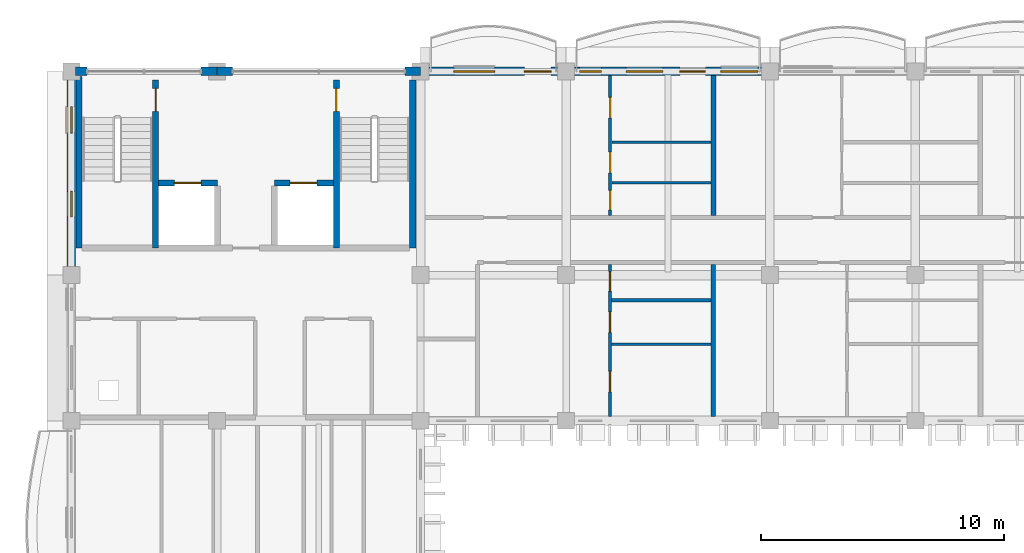
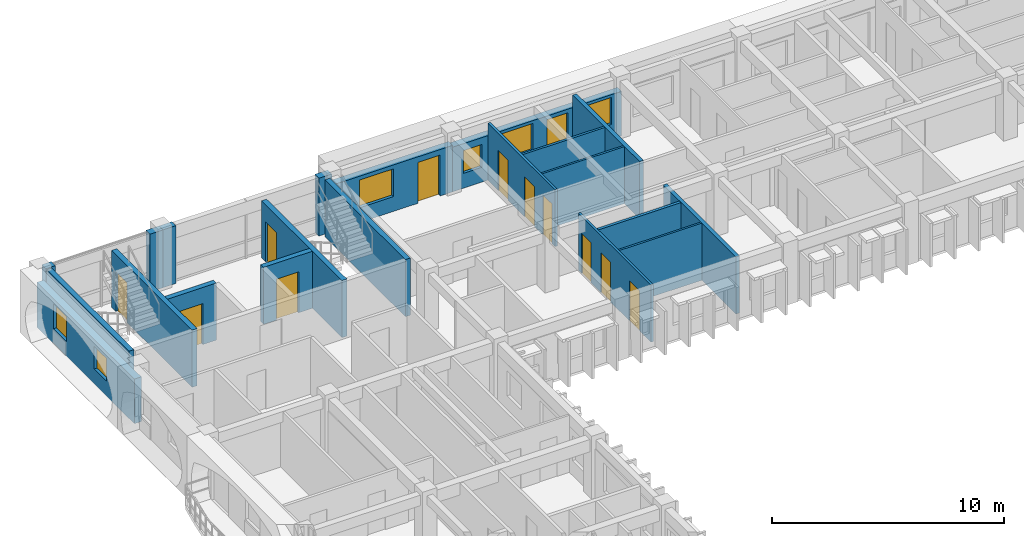
# One storey, part 24 of 70: 21 walls, 12 doors, 6 windows, 18 openings.
"""IFC4 building model written with IfcOpenShell, lengths in metres."""

from ifc_helpers import new_model, si_unit, direction, frame, frame_2d, origin, place, context, subcontext, project, spatial, rectangle, extrude, material, layer, layer_set, type_object, element, fill, save


model = new_model("IFC4")

# Units and contexts
model_context = context("Model", 3, precision=1e-05, world=origin(), true_north=direction((0.0, 1.0)))
body_context = subcontext(model_context, "Body", "Model", "MODEL_VIEW")
ifc_project = project(units=[si_unit("LENGTHUNIT", "METRE"), si_unit("AREAUNIT", "SQUARE_METRE"), si_unit("VOLUMEUNIT", "CUBIC_METRE"), si_unit("PLANEANGLEUNIT", "RADIAN"), si_unit("MASSUNIT", "GRAM", prefix="KILO"), si_unit("THERMODYNAMICTEMPERATUREUNIT", "KELVIN")], contexts=[model_context])

# Site, building, storey
site_placement = place(None, origin())
site = spatial("IfcSite", under=ifc_project, at=site_placement, CompositionType="ELEMENT")
building_placement = place(site_placement, origin())
building = spatial("IfcBuilding", under=site, at=building_placement, Name="Thalorik Housing Commons", CompositionType="ELEMENT")
storey_placement = place(building_placement, frame((0.0, 0.0, 14.699951171875)))
storey = spatial("IfcBuildingStorey", under=building, at=storey_placement, Name="L04", CompositionType="ELEMENT", Elevation=14.699951171875)

# Wall, opening, door
ifc_material_1 = material(Name="Concrete C40/50", Category="concrete")
ifc_layer_1 = layer(ifc_material_1, 0.25, Name="Concrete C40/50", Category="concrete")
ifc_layer_set_1 = layer_set([ifc_layer_1], Name="Concrete C40/50")
wall_type_1 = type_object("IfcWallType", Name="ARC-WAL-CORE-250", PredefinedType="SHEAR", material=ifc_layer_set_1)
wall_1_placement = place(storey_placement, frame((11.875, 123.25, 0.0), z_axis=(0.0, 0.0, 1.0), x_axis=(0.0, -1.0, 0.0)))
wall_1 = element("IfcWall", 1, at=wall_1_placement, inside=storey, type_object=wall_type_1, Name="L04 Core A Stair 1 Shear Wall", PredefinedType="SHEAR", context=body_context, shape_type="SweptSolid", body=[
    extrude(rectangle(XDim=6.925048828125, YDim=0.25, at=frame_2d((3.46240234375, 0.0))), origin(), (0.0, 0.0, 1.0), 3.0),
])
opening_1_placement = place(wall_1_placement, frame((0.35009765625, 0.0, 0.0)))
opening_1 = element("IfcOpeningElement", 2, at=opening_1_placement, cuts=wall_1, Name="Opening ID-0041", PredefinedType="OPENING", context=body_context, shape_type="SweptSolid", body=[
    extrude(rectangle(XDim=0.949951171875, YDim=2.10009765625, at=frame_2d((0.47509765625, 1.050048828125))), frame((0.0, 0.135009765625, 0.0), z_axis=(0.0, -1.0, 0.0), x_axis=(1.0, 0.0, 0.0)), (0.0, 0.0, 1.0), 0.27001953125),
])
ifc_material_2 = material(Name="Steel S355", Category="steel")
door_type_1 = type_object("IfcDoorType", Name="ARC-DR-FD60-950", OperationType="NOTDEFINED", PredefinedType="DOOR", material=ifc_material_2)
door_1_placement = place(opening_1_placement, origin())
door_1 = element("IfcDoor", 3, at=door_1_placement, inside=storey, type_object=door_type_1, Name="L04 Stair ST-A1 Fire Door", OperationType="SINGLE_SWING_RIGHT", OverallHeight=2.10009765625, OverallWidth=0.949951171875, PredefinedType="DOOR", context=body_context, shape_type="SweptSolid", body=[
    extrude(rectangle(XDim=0.949951171875, YDim=2.10009765625, at=frame_2d((0.47509765625, 1.050048828125))), frame((0.0, 0.02490234375, 0.0), z_axis=(0.0, -1.0, 0.0), x_axis=(1.0, 0.0, 0.0)), (0.0, 0.0, 1.0), 0.050048828125),
])
fill(opening_1, door_1)

# Walls
wall_2_placement = place(storey_placement, frame((8.72509765625, 123.39990234375, 0.0), z_axis=(0.0, 0.0, 1.0), x_axis=(0.0, -1.0, 0.0)))
element("IfcWall", 4, at=wall_2_placement, inside=storey, type_object=wall_type_1, Name="L04 Core A Stair 1 Outer Shear Wall", PredefinedType="SHEAR", context=body_context, shape_type="SweptSolid", body=[
    extrude(rectangle(XDim=7.074951171875, YDim=0.25, at=frame_2d((3.53759765625, 0.0))), origin(), (0.0, 0.0, 1.0), 3.0),
])
wall_3_placement = place(storey_placement, frame((22.47509765625, 123.25, 0.0), z_axis=(0.0, 0.0, 1.0), x_axis=(0.0, -1.0, 0.0)))
element("IfcWall", 5, at=wall_3_placement, inside=storey, type_object=wall_type_1, Name="L04 Core A Stair 2 Outer Shear Wall", PredefinedType="SHEAR", context=body_context, shape_type="SweptSolid", body=[
    extrude(rectangle(XDim=6.925048828125, YDim=0.25, at=frame_2d((3.46240234375, 0.0))), origin(), (0.0, 0.0, 1.0), 3.0),
])

# Wall, opening, door
wall_4_placement = place(storey_placement, frame((19.324951171875, 123.25, 0.0), z_axis=(0.0, 0.0, 1.0), x_axis=(0.0, -1.0, 0.0)))
wall_4 = element("IfcWall", 6, at=wall_4_placement, inside=storey, type_object=wall_type_1, Name="L04 Core A Stair 2 Shear Wall", PredefinedType="SHEAR", context=body_context, shape_type="SweptSolid", body=[
    extrude(rectangle(XDim=6.925048828125, YDim=0.25, at=frame_2d((3.46240234375, 0.0))), origin(), (0.0, 0.0, 1.0), 3.0),
])
opening_2_placement = place(wall_4_placement, frame((0.35009765625, 0.0, 0.0)))
opening_2 = element("IfcOpeningElement", 7, at=opening_2_placement, cuts=wall_4, Name="Opening ID-0042", PredefinedType="OPENING", context=body_context, shape_type="SweptSolid", body=[
    extrude(rectangle(XDim=0.949951171875, YDim=2.10009765625, at=frame_2d((0.47509765625, 1.050048828125))), frame((0.0, 0.135009765625, 0.0), z_axis=(0.0, -1.0, 0.0), x_axis=(1.0, 0.0, 0.0)), (0.0, 0.0, 1.0), 0.27001953125),
])
door_2_placement = place(opening_2_placement, origin())
door_2 = element("IfcDoor", 8, at=door_2_placement, inside=storey, type_object=door_type_1, Name="L04 Stair ST-A2 Fire Door", OperationType="SINGLE_SWING_LEFT", OverallHeight=2.10009765625, OverallWidth=0.949951171875, PredefinedType="DOOR", context=body_context, shape_type="SweptSolid", body=[
    extrude(rectangle(XDim=0.949951171875, YDim=2.10009765625, at=frame_2d((0.47509765625, 1.050048828125))), frame((0.0, 0.02490234375, 0.0), z_axis=(0.0, -1.0, 0.0), x_axis=(1.0, 0.0, 0.0)), (0.0, 0.0, 1.0), 0.050048828125),
])
fill(opening_2, door_2)

wall_5_placement = place(storey_placement, frame((12.0, 119.0, 0.0), z_axis=(0.0, 0.0, 1.0), x_axis=(1.0, 0.0, 0.0)))
wall_5 = element("IfcWall", 9, at=wall_5_placement, inside=storey, type_object=wall_type_1, Name="L04 Lift LF-A1 Front Shaft Wall", PredefinedType="SHEAR", context=body_context, shape_type="SweptSolid", body=[
    extrude(rectangle(XDim=2.425048828125, YDim=0.25, at=frame_2d((1.21240234375, 0.0))), origin(), (0.0, 0.0, 1.0), 3.0),
])
opening_3_placement = place(wall_5_placement, frame((0.64990234375, 0.0, 0.0)))
opening_3 = element("IfcOpeningElement", 10, at=opening_3_placement, cuts=wall_5, Name="Opening LD-LF-A1-L04", PredefinedType="OPENING", context=body_context, shape_type="SweptSolid", body=[
    extrude(rectangle(XDim=1.10009765625, YDim=2.14990234375, at=frame_2d((0.550048828125, 1.074951171875))), frame((0.0, 0.135009765625, 0.0), z_axis=(0.0, -1.0, 0.0), x_axis=(1.0, 0.0, 0.0)), (0.0, 0.0, 1.0), 0.27001953125),
])
door_type_2 = type_object("IfcDoorType", Name="ARC-DR-LIFT-1100", OperationType="NOTDEFINED", PredefinedType="DOOR", material=ifc_material_2)
door_3_placement = place(opening_3_placement, origin())
door_3 = element("IfcDoor", 11, at=door_3_placement, inside=storey, type_object=door_type_2, Name="L04 Lift LF-A1 Landing Door", OperationType="SLIDING_TO_LEFT", OverallHeight=2.14990234375, OverallWidth=1.10009765625, PredefinedType="DOOR", context=body_context, shape_type="SweptSolid", body=[
    extrude(rectangle(XDim=1.10009765625, YDim=2.14990234375, at=frame_2d((0.550048828125, 1.074951171875))), frame((0.0, 0.02490234375, 0.0), z_axis=(0.0, -1.0, 0.0), x_axis=(1.0, 0.0, 0.0)), (0.0, 0.0, 1.0), 0.050048828125),
])
fill(opening_3, door_3)

wall_6_placement = place(storey_placement, frame((16.77490234375, 119.0, 0.0), z_axis=(0.0, 0.0, 1.0), x_axis=(1.0, 0.0, 0.0)))
wall_6 = element("IfcWall", 12, at=wall_6_placement, inside=storey, type_object=wall_type_1, Name="L04 Lift LP-A2 Front Shaft Wall", PredefinedType="SHEAR", context=body_context, shape_type="SweptSolid", body=[
    extrude(rectangle(XDim=2.425048828125, YDim=0.25, at=frame_2d((1.21240234375, 0.0))), origin(), (0.0, 0.0, 1.0), 3.0),
])
opening_4_placement = place(wall_6_placement, frame((0.64990234375, 0.0, 0.0)))
opening_4 = element("IfcOpeningElement", 13, at=opening_4_placement, cuts=wall_6, Name="Opening LD-LP-A2-L04", PredefinedType="OPENING", context=body_context, shape_type="SweptSolid", body=[
    extrude(rectangle(XDim=1.10009765625, YDim=2.14990234375, at=frame_2d((0.550048828125, 1.074951171875))), frame((0.0, 0.135009765625, 0.0), z_axis=(0.0, -1.0, 0.0), x_axis=(1.0, 0.0, 0.0)), (0.0, 0.0, 1.0), 0.27001953125),
])
door_4_placement = place(opening_4_placement, origin())
door_4 = element("IfcDoor", 14, at=door_4_placement, inside=storey, type_object=door_type_2, Name="L04 Lift LP-A2 Landing Door", OperationType="SLIDING_TO_LEFT", OverallHeight=2.14990234375, OverallWidth=1.10009765625, PredefinedType="DOOR", context=body_context, shape_type="SweptSolid", body=[
    extrude(rectangle(XDim=1.10009765625, YDim=2.14990234375, at=frame_2d((0.550048828125, 1.074951171875))), frame((0.0, 0.02490234375, 0.0), z_axis=(0.0, -1.0, 0.0), x_axis=(1.0, 0.0, 0.0)), (0.0, 0.0, 1.0), 0.050048828125),
])
fill(opening_4, door_4)

# Wall, openings, door, windows
ifc_material_3 = material(Name="White precast concrete C40/50", Category="concrete")
ifc_layer_2 = layer(ifc_material_3, 0.35009765625, Name="White precast concrete C40/50", Category="concrete")
ifc_layer_set_2 = layer_set([ifc_layer_2], Name="White precast concrete C40/50")
wall_type_2 = type_object("IfcWallType", Name="ARC-WAL-EXT-350", PredefinedType="STANDARD", material=ifc_layer_set_2)
wall_7_placement = place(storey_placement, frame((37.199951171875, 123.60009765625, 0.0), z_axis=(0.0, 0.0, 1.0), x_axis=(-1.0, 0.0, 0.0)))
wall_7 = element("IfcWall", 15, at=wall_7_placement, inside=storey, type_object=wall_type_2, Name="L04 Exterior Wall WAL-EXT-L04-A-0123", PredefinedType="STANDARD", context=body_context, shape_type="SweptSolid", body=[
    extrude(rectangle(XDim=8.39990234375, YDim=0.35009765625, at=frame_2d((4.199951171875, 0.0))), origin(), (0.0, 0.0, 1.0), 2.344970703125),
])
opening_5_placement = place(wall_7_placement, frame((2.659912109375, 0.0, 0.0)))
opening_5 = element("IfcOpeningElement", 16, at=opening_5_placement, cuts=wall_7, Name="Opening ED-0033", PredefinedType="OPENING", context=body_context, shape_type="SweptSolid", body=[
    extrude(rectangle(XDim=1.050048828125, YDim=2.14990234375, at=frame_2d((0.52490234375, 1.074951171875))), frame((0.0, 0.18505859375, 0.0), z_axis=(0.0, -1.0, 0.0), x_axis=(1.0, 0.0, 0.0)), (0.0, 0.0, 1.0), 0.3701171875),
])
opening_6_placement = place(wall_7_placement, frame((0.5, 0.0, 0.780029296875)))
opening_6 = element("IfcOpeningElement", 17, at=opening_6_placement, cuts=wall_7, Name="Opening W-52", PredefinedType="OPENING", context=body_context, shape_type="SweptSolid", body=[
    extrude(rectangle(XDim=1.52001953125, YDim=1.419921875, at=frame_2d((0.760009765625, 0.7099609375))), frame((0.0, 0.18505859375, 0.0), z_axis=(0.0, -1.0, 0.0), x_axis=(1.0, 0.0, 0.0)), (0.0, 0.0, 1.0), 0.3701171875),
])
opening_7_placement = place(wall_7_placement, frame((4.412109375, 0.0, 0.780029296875)))
opening_7 = element("IfcOpeningElement", 18, at=opening_7_placement, cuts=wall_7, Name="Opening W-52", PredefinedType="OPENING", context=body_context, shape_type="SweptSolid", body=[
    extrude(rectangle(XDim=1.52001953125, YDim=1.419921875, at=frame_2d((0.760009765625, 0.7099609375))), frame((0.0, 0.18505859375, 0.0), z_axis=(0.0, -1.0, 0.0), x_axis=(1.0, 0.0, 0.0)), (0.0, 0.0, 1.0), 0.3701171875),
])
opening_8_placement = place(wall_7_placement, frame((6.947265625, 0.0, 0.780029296875)))
opening_8 = element("IfcOpeningElement", 19, at=opening_8_placement, cuts=wall_7, Name="Opening W-01", PredefinedType="OPENING", context=body_context, shape_type="SweptSolid", body=[
    extrude(rectangle(XDim=0.89990234375, YDim=1.199951171875, at=frame_2d((0.449951171875, 0.60009765625))), frame((0.0, 0.18505859375, 0.0), z_axis=(0.0, -1.0, 0.0), x_axis=(1.0, 0.0, 0.0)), (0.0, 0.0, 1.0), 0.3701171875),
])
ifc_material_4 = material(Name="Anodised aluminium and laminated safety glass", Category="aluminium")
door_type_3 = type_object("IfcDoorType", Name="ARC-DR-BAL-1050", OperationType="NOTDEFINED", PredefinedType="DOOR", material=ifc_material_4)
door_5_placement = place(opening_5_placement, frame((1.050048828125, 0.0, 0.0), z_axis=(0.0, 0.0, 1.0), x_axis=(-1.0, 0.0, 0.0)))
door_5 = element("IfcDoor", 20, at=door_5_placement, inside=storey, type_object=door_type_3, Name="L04 Block A Balcony Glazed Door", OperationType="SINGLE_SWING_RIGHT", OverallHeight=2.14990234375, OverallWidth=1.050048828125, PredefinedType="DOOR", context=body_context, shape_type="SweptSolid", body=[
    extrude(rectangle(XDim=1.050048828125, YDim=2.14990234375, at=frame_2d((0.52490234375, 1.074951171875))), frame((0.0, 0.02490234375, 0.0), z_axis=(0.0, -1.0, 0.0), x_axis=(1.0, 0.0, 0.0)), (0.0, 0.0, 1.0), 0.050048828125),
])
fill(opening_5, door_5)
ifc_material_5 = material(Name="Anodised aluminium and solar-control low-E glass", Category="aluminium")
window_type_1 = type_object("IfcWindowType", Name="ARC-WIN-01", PartitioningType="SINGLE_PANEL", PredefinedType="WINDOW", material=ifc_material_5)
window_1_placement = place(opening_8_placement, origin())
window_1 = element("IfcWindow", 21, at=window_1_placement, inside=storey, type_object=window_type_1, Name="L04 Facade Window 222", OverallHeight=1.199951171875, OverallWidth=0.89990234375, PartitioningType="SINGLE_PANEL", PredefinedType="WINDOW", context=body_context, shape_type="SweptSolid", body=[
    extrude(rectangle(XDim=0.89990234375, YDim=1.199951171875, at=frame_2d((0.449951171875, 0.60009765625))), frame((0.0, 0.030029296875, 0.0), z_axis=(0.0, -1.0, 0.0), x_axis=(1.0, 0.0, 0.0)), (0.0, 0.0, 1.0), 0.06005859375),
])
fill(opening_8, window_1)
window_type_2 = type_object("IfcWindowType", Name="ARC-WIN-52", PartitioningType="SINGLE_PANEL", PredefinedType="WINDOW", material=ifc_material_5)
window_2_placement = place(opening_6_placement, origin())
window_2 = element("IfcWindow", 22, at=window_2_placement, inside=storey, type_object=window_type_2, Name="L04 Facade Window 220", OverallHeight=1.419921875, OverallWidth=1.52001953125, PartitioningType="SINGLE_PANEL", PredefinedType="WINDOW", context=body_context, shape_type="SweptSolid", body=[
    extrude(rectangle(XDim=1.52001953125, YDim=1.419921875, at=frame_2d((0.760009765625, 0.7099609375))), frame((0.0, 0.030029296875, 0.0), z_axis=(0.0, -1.0, 0.0), x_axis=(1.0, 0.0, 0.0)), (0.0, 0.0, 1.0), 0.06005859375),
])
fill(opening_6, window_2)
window_3_placement = place(opening_7_placement, origin())
window_3 = element("IfcWindow", 23, at=window_3_placement, inside=storey, type_object=window_type_2, Name="L04 Facade Window 221", OverallHeight=1.419921875, OverallWidth=1.52001953125, PartitioningType="SINGLE_PANEL", PredefinedType="WINDOW", context=body_context, shape_type="SweptSolid", body=[
    extrude(rectangle(XDim=1.52001953125, YDim=1.419921875, at=frame_2d((0.760009765625, 0.7099609375))), frame((0.0, 0.030029296875, 0.0), z_axis=(0.0, -1.0, 0.0), x_axis=(1.0, 0.0, 0.0)), (0.0, 0.0, 1.0), 0.06005859375),
])
fill(opening_7, window_3)

# Wall, openings, door, window
wall_8_placement = place(storey_placement, frame((28.800048828125, 123.60009765625, 0.0), z_axis=(0.0, 0.0, 1.0), x_axis=(-1.0, 0.0, 0.0)))
wall_8 = element("IfcWall", 24, at=wall_8_placement, inside=storey, type_object=wall_type_2, Name="L04 Exterior Wall WAL-EXT-L04-A-0124", PredefinedType="STANDARD", context=body_context, shape_type="SweptSolid", body=[
    extrude(rectangle(XDim=6.0, YDim=0.35009765625, at=frame_2d((3.0, 0.0))), origin(), (0.0, 0.0, 1.0), 2.445068359375),
])
opening_9_placement = place(wall_8_placement, frame((0.6201171875, 0.0, 0.0)))
opening_9 = element("IfcOpeningElement", 25, at=opening_9_placement, cuts=wall_8, Name="Opening ED-0034", PredefinedType="OPENING", context=body_context, shape_type="SweptSolid", body=[
    extrude(rectangle(XDim=1.10009765625, YDim=2.14990234375, at=frame_2d((0.550048828125, 1.074951171875))), frame((0.0, 0.18505859375, 0.0), z_axis=(0.0, -1.0, 0.0), x_axis=(1.0, 0.0, 0.0)), (0.0, 0.0, 1.0), 0.3701171875),
])
opening_10_placement = place(wall_8_placement, frame((2.949951171875, 0.0, 0.780029296875)))
opening_10 = element("IfcOpeningElement", 26, at=opening_10_placement, cuts=wall_8, Name="Opening W-55", PredefinedType="OPENING", context=body_context, shape_type="SweptSolid", body=[
    extrude(rectangle(XDim=1.679931640625, YDim=1.4599609375, at=frame_2d((0.83984375, 0.72998046875))), frame((0.0, 0.18505859375, 0.0), z_axis=(0.0, -1.0, 0.0), x_axis=(1.0, 0.0, 0.0)), (0.0, 0.0, 1.0), 0.3701171875),
])
door_type_4 = type_object("IfcDoorType", Name="ARC-DR-BAL-1100", OperationType="NOTDEFINED", PredefinedType="DOOR", material=ifc_material_4)
door_6_placement = place(opening_9_placement, frame((1.10009765625, 0.0, 0.0), z_axis=(0.0, 0.0, 1.0), x_axis=(-1.0, 0.0, 0.0)))
door_6 = element("IfcDoor", 27, at=door_6_placement, inside=storey, type_object=door_type_4, Name="L04 Block A Balcony Glazed Door", OperationType="SINGLE_SWING_LEFT", OverallHeight=2.14990234375, OverallWidth=1.10009765625, PredefinedType="DOOR", context=body_context, shape_type="SweptSolid", body=[
    extrude(rectangle(XDim=1.10009765625, YDim=2.14990234375, at=frame_2d((0.550048828125, 1.074951171875))), frame((0.0, 0.02490234375, 0.0), z_axis=(0.0, -1.0, 0.0), x_axis=(1.0, 0.0, 0.0)), (0.0, 0.0, 1.0), 0.050048828125),
])
fill(opening_9, door_6)
window_type_3 = type_object("IfcWindowType", Name="ARC-WIN-55", PartitioningType="DOUBLE_PANEL_VERTICAL", PredefinedType="WINDOW", material=ifc_material_5)
window_4_placement = place(opening_10_placement, origin())
window_4 = element("IfcWindow", 28, at=window_4_placement, inside=storey, type_object=window_type_3, Name="L04 Facade Window 223", OverallHeight=1.4599609375, OverallWidth=1.679931640625, PartitioningType="DOUBLE_PANEL_VERTICAL", PredefinedType="WINDOW", context=body_context, shape_type="SweptSolid", body=[
    extrude(rectangle(XDim=1.679931640625, YDim=1.4599609375, at=frame_2d((0.83984375, 0.72998046875))), frame((0.0, 0.030029296875, 0.0), z_axis=(0.0, -1.0, 0.0), x_axis=(1.0, 0.0, 0.0)), (0.0, 0.0, 1.0), 0.06005859375),
])
fill(opening_10, window_4)

# Walls
for number, where, z_axis, x_axis, name in (
    (29, (22.800048828125, 123.60009765625, 0.0), (0.0, 0.0, 1.0), (-1.0, 0.0, 0.0), "L04 Exterior Wall WAL-PIERL-L04-A-0125"),
    (30, (15.050048828125, 123.60009765625, 0.0), (0.0, 0.0, 1.0), (-1.0, 0.0, 0.0), "L04 Exterior Wall WAL-PIERR-L04-A-0125"),
):
    element("IfcWall", number, at=place(storey_placement, frame(where, z_axis=z_axis, x_axis=x_axis)), inside=storey, type_object=wall_type_2, Name=name, PredefinedType="STANDARD", context=body_context, shape_type="SweptSolid", body=[
        extrude(rectangle(XDim=0.650146484375, YDim=0.35009765625, at=frame_2d((0.3251953125, 0.0))), origin(), (0.0, 0.0, 1.0), 3.0400390625),
    ])
wall_9_placement = place(storey_placement, frame((14.39990234375, 123.60009765625, 0.0), z_axis=(0.0, 0.0, 1.0), x_axis=(-1.0, 0.0, 0.0)))
element("IfcWall", 31, at=wall_9_placement, inside=storey, type_object=wall_type_2, Name="L04 Exterior Wall WAL-PIERL-L04-A-0126", PredefinedType="STANDARD", context=body_context, shape_type="SweptSolid", body=[
    extrude(rectangle(XDim=0.64990234375, YDim=0.35009765625, at=frame_2d((0.324951171875, 0.0))), origin(), (0.0, 0.0, 1.0), 3.0400390625),
])
wall_10_placement = place(storey_placement, frame((9.050048828125, 123.60009765625, 0.0), z_axis=(0.0, 0.0, 1.0), x_axis=(-1.0, 0.0, 0.0)))
element("IfcWall", 32, at=wall_10_placement, inside=storey, type_object=wall_type_2, Name="L04 Exterior Wall WAL-PIERR-L04-A-0126", PredefinedType="STANDARD", context=body_context, shape_type="SweptSolid", body=[
    extrude(rectangle(XDim=0.47314453125, YDim=0.35009765625, at=frame_2d((0.236572265625, 0.0))), origin(), (0.0, 0.0, 1.0), 3.0400390625),
])

# Wall, openings, windows
wall_11_placement = place(storey_placement, frame((8.39990234375, 123.60009765625, 0.0), z_axis=(0.0, 0.0, 1.0), x_axis=(0.0, -1.0, 0.0)))
wall_11 = element("IfcWall", 33, at=wall_11_placement, inside=storey, type_object=wall_type_2, Name="L04 Exterior Wall WAL-EXT-L04-A-0127", PredefinedType="STANDARD", context=body_context, shape_type="SweptSolid", body=[
    extrude(rectangle(XDim=8.400146484375, YDim=0.35009765625, at=frame_2d((4.2001953125, 0.0))), origin(), (0.0, 0.0, 1.0), 2.344970703125),
])
opening_11_placement = place(wall_11_placement, frame((1.4462890625, 0.0, 0.780029296875)))
opening_11 = element("IfcOpeningElement", 34, at=opening_11_placement, cuts=wall_11, Name="Opening W-03", PredefinedType="OPENING", context=body_context, shape_type="SweptSolid", body=[
    extrude(rectangle(XDim=1.10009765625, YDim=1.300048828125, at=frame_2d((0.550048828125, 0.64990234375))), frame((0.0, 0.18505859375, 0.0), z_axis=(0.0, -1.0, 0.0), x_axis=(1.0, 0.0, 0.0)), (0.0, 0.0, 1.0), 0.3701171875),
])
opening_12_placement = place(wall_11_placement, frame((4.943603515625, 0.0, 0.780029296875)))
opening_12 = element("IfcOpeningElement", 35, at=opening_12_placement, cuts=wall_11, Name="Opening W-44", PredefinedType="OPENING", context=body_context, shape_type="SweptSolid", body=[
    extrude(rectangle(XDim=1.050048828125, YDim=1.199951171875, at=frame_2d((0.52490234375, 0.60009765625))), frame((0.0, 0.18505859375, 0.0), z_axis=(0.0, -1.0, 0.0), x_axis=(1.0, 0.0, 0.0)), (0.0, 0.0, 1.0), 0.3701171875),
])
window_type_4 = type_object("IfcWindowType", Name="ARC-WIN-03", PartitioningType="SINGLE_PANEL", PredefinedType="WINDOW", material=ifc_material_5)
window_5_placement = place(opening_11_placement, origin())
window_5 = element("IfcWindow", 36, at=window_5_placement, inside=storey, type_object=window_type_4, Name="L04 Facade Window 224", OverallHeight=1.300048828125, OverallWidth=1.10009765625, PartitioningType="SINGLE_PANEL", PredefinedType="WINDOW", context=body_context, shape_type="SweptSolid", body=[
    extrude(rectangle(XDim=1.10009765625, YDim=1.300048828125, at=frame_2d((0.550048828125, 0.64990234375))), frame((0.0, 0.030029296875, 0.0), z_axis=(0.0, -1.0, 0.0), x_axis=(1.0, 0.0, 0.0)), (0.0, 0.0, 1.0), 0.06005859375),
])
fill(opening_11, window_5)
window_type_5 = type_object("IfcWindowType", Name="ARC-WIN-44", PartitioningType="SINGLE_PANEL", PredefinedType="WINDOW", material=ifc_material_5)
window_6_placement = place(opening_12_placement, origin())
window_6 = element("IfcWindow", 37, at=window_6_placement, inside=storey, type_object=window_type_5, Name="L04 Facade Window 225", OverallHeight=1.199951171875, OverallWidth=1.050048828125, PartitioningType="SINGLE_PANEL", PredefinedType="WINDOW", context=body_context, shape_type="SweptSolid", body=[
    extrude(rectangle(XDim=1.050048828125, YDim=1.199951171875, at=frame_2d((0.52490234375, 0.60009765625))), frame((0.0, 0.030029296875, 0.0), z_axis=(0.0, -1.0, 0.0), x_axis=(1.0, 0.0, 0.0)), (0.0, 0.0, 1.0), 0.06005859375),
])
fill(opening_12, window_6)

# Walls
ifc_material_6 = material(Name="Gypsum light stud partition", Category="masonry")
ifc_layer_3 = layer(ifc_material_6, 0.10009765625, Name="Gypsum light stud partition", Category="masonry")
ifc_layer_set_3 = layer_set([ifc_layer_3], Name="Gypsum light stud partition")
wall_type_3 = type_object("IfcWallType", Name="ARC-WAL-PART-100", PredefinedType="PARTITIONING", material=ifc_layer_set_3)
wall_12_placement = place(storey_placement, frame((30.66943359375, 112.36083984375, 0.0), z_axis=(0.0, 0.0, 1.0), x_axis=(1.0, 0.0, 0.0)))
element("IfcWall", 38, at=wall_12_placement, inside=storey, type_object=wall_type_3, Name="L04 Unit 1 Bedroom Partition", PredefinedType="PARTITIONING", context=body_context, shape_type="SweptSolid", body=[
    extrude(rectangle(XDim=4.10595703125, YDim=0.10009765625, at=frame_2d((2.052978515625, 0.0))), origin(), (0.0, 0.0, 1.0), 3.0),
])
wall_13_placement = place(storey_placement, frame((30.68017578125, 119.010498046875, 0.0), z_axis=(0.0, 0.0, 1.0), x_axis=(1.0, 0.0, 0.0)))
element("IfcWall", 39, at=wall_13_placement, inside=storey, type_object=wall_type_3, Name="L04 Unit 1B Wet Wall", PredefinedType="PARTITIONING", context=body_context, shape_type="SweptSolid", body=[
    extrude(rectangle(XDim=4.087890625, YDim=0.10009765625, at=frame_2d((2.0439453125, 0.0))), origin(), (0.0, 0.0, 1.0), 3.0),
])

# Wall, openings, doors
ifc_material_7 = material(Name="Gypsum moisture-resistant partition", Category="masonry")
ifc_layer_4 = layer(ifc_material_7, 0.114990234375, Name="Gypsum moisture-resistant partition", Category="masonry")
ifc_layer_set_4 = layer_set([ifc_layer_4], Name="Gypsum moisture-resistant partition")
wall_type_4 = type_object("IfcWallType", Name="ARC-WAL-PART-115", PredefinedType="PARTITIONING", material=ifc_layer_set_4)
wall_14_placement = place(storey_placement, frame((30.610107421875, 109.376953125, 0.0), z_axis=(0.0, 0.0, 1.0), x_axis=(0.0, 1.0, 0.0)))
wall_14 = element("IfcWall", 40, at=wall_14_placement, inside=storey, type_object=wall_type_4, Name="L04 Unit 1 Spine Partition", PredefinedType="PARTITIONING", context=body_context, shape_type="SweptSolid", body=[
    extrude(rectangle(XDim=6.258544921875, YDim=0.114990234375, at=frame_2d((3.12939453125, 0.0))), origin(), (0.0, 0.0, 1.0), 3.0),
])
opening_13_placement = place(wall_14_placement, frame((1.00830078125, 0.0, 0.0)))
opening_13 = element("IfcOpeningElement", 41, at=opening_13_placement, cuts=wall_14, Name="Opening ID-0549", PredefinedType="OPENING", context=body_context, shape_type="SweptSolid", body=[
    extrude(rectangle(XDim=0.85009765625, YDim=2.10009765625, at=frame_2d((0.425048828125, 1.050048828125))), frame((0.0, 0.0673828125, 0.0), z_axis=(0.0, -1.0, 0.0), x_axis=(1.0, 0.0, 0.0)), (0.0, 0.0, 1.0), 0.135009765625),
])
opening_14_placement = place(wall_14_placement, frame((3.463134765625, 0.0, 0.0)))
opening_14 = element("IfcOpeningElement", 42, at=opening_14_placement, cuts=wall_14, Name="Opening ID-0550", PredefinedType="OPENING", context=body_context, shape_type="SweptSolid", body=[
    extrude(rectangle(XDim=0.85009765625, YDim=2.10009765625, at=frame_2d((0.425048828125, 1.050048828125))), frame((0.0, 0.0673828125, 0.0), z_axis=(0.0, -1.0, 0.0), x_axis=(1.0, 0.0, 0.0)), (0.0, 0.0, 1.0), 0.135009765625),
])
opening_15_placement = place(wall_14_placement, frame((5.167724609375, 0.0, 0.0)))
opening_15 = element("IfcOpeningElement", 43, at=opening_15_placement, cuts=wall_14, Name="Opening ID-0551", PredefinedType="OPENING", context=body_context, shape_type="SweptSolid", body=[
    extrude(rectangle(XDim=0.800048828125, YDim=2.10009765625, at=frame_2d((0.39990234375, 1.050048828125))), frame((0.0, 0.0673828125, 0.0), z_axis=(0.0, -1.0, 0.0), x_axis=(1.0, 0.0, 0.0)), (0.0, 0.0, 1.0), 0.135009765625),
])
ifc_material_8 = material(Name="Moisture-resistant timber", Category="wood")
door_type_5 = type_object("IfcDoorType", Name="ARC-DR-INT-800", OperationType="NOTDEFINED", PredefinedType="DOOR", material=ifc_material_8)
door_7_placement = place(opening_15_placement, origin())
door_7 = element("IfcDoor", 44, at=door_7_placement, inside=storey, type_object=door_type_5, Name="L04 Flat Bathroom Door", OperationType="SINGLE_SWING_RIGHT", OverallHeight=2.10009765625, OverallWidth=0.800048828125, PredefinedType="DOOR", context=body_context, shape_type="SweptSolid", body=[
    extrude(rectangle(XDim=0.800048828125, YDim=2.10009765625, at=frame_2d((0.39990234375, 1.050048828125))), frame((0.0, 0.02490234375, 0.0), z_axis=(0.0, -1.0, 0.0), x_axis=(1.0, 0.0, 0.0)), (0.0, 0.0, 1.0), 0.050048828125),
])
fill(opening_15, door_7)
ifc_material_9 = material(Name="Engineered oak timber", Category="wood")
door_type_6 = type_object("IfcDoorType", Name="ARC-DR-INT-850", OperationType="NOTDEFINED", PredefinedType="DOOR", material=ifc_material_9)
door_8_placement = place(opening_13_placement, origin())
door_8 = element("IfcDoor", 45, at=door_8_placement, inside=storey, type_object=door_type_6, Name="L04 Master Bedroom Door", OperationType="SINGLE_SWING_RIGHT", OverallHeight=2.10009765625, OverallWidth=0.85009765625, PredefinedType="DOOR", context=body_context, shape_type="SweptSolid", body=[
    extrude(rectangle(XDim=0.85009765625, YDim=2.10009765625, at=frame_2d((0.425048828125, 1.050048828125))), frame((0.0, 0.02490234375, 0.0), z_axis=(0.0, -1.0, 0.0), x_axis=(1.0, 0.0, 0.0)), (0.0, 0.0, 1.0), 0.050048828125),
])
fill(opening_13, door_8)
door_9_placement = place(opening_14_placement, origin())
door_9 = element("IfcDoor", 46, at=door_9_placement, inside=storey, type_object=door_type_6, Name="L04 Galley Kitchen Door", OperationType="SINGLE_SWING_LEFT", OverallHeight=2.10009765625, OverallWidth=0.85009765625, PredefinedType="DOOR", context=body_context, shape_type="SweptSolid", body=[
    extrude(rectangle(XDim=0.85009765625, YDim=2.10009765625, at=frame_2d((0.425048828125, 1.050048828125))), frame((0.0, 0.02490234375, 0.0), z_axis=(0.0, -1.0, 0.0), x_axis=(1.0, 0.0, 0.0)), (0.0, 0.0, 1.0), 0.050048828125),
])
fill(opening_14, door_9)

# Wall
wall_15_placement = place(storey_placement, frame((30.68017578125, 120.67919921875, 0.0), z_axis=(0.0, 0.0, 1.0), x_axis=(1.0, 0.0, 0.0)))
element("IfcWall", 47, at=wall_15_placement, inside=storey, type_object=wall_type_4, Name="L04 Unit 1B Bedroom Partition", PredefinedType="PARTITIONING", context=body_context, shape_type="SweptSolid", body=[
    extrude(rectangle(XDim=4.087890625, YDim=0.114990234375, at=frame_2d((2.0439453125, 0.0))), origin(), (0.0, 0.0, 1.0), 3.0),
])

# Wall, openings, doors
ifc_material_10 = material(Name="Gypsum acoustic stud partition", Category="masonry")
ifc_layer_5 = layer(ifc_material_10, 0.125, Name="Gypsum acoustic stud partition", Category="masonry")
ifc_layer_set_5 = layer_set([ifc_layer_5], Name="Gypsum acoustic stud partition")
wall_type_5 = type_object("IfcWallType", Name="ARC-WAL-PART-125", PredefinedType="PARTITIONING", material=ifc_layer_set_5)
wall_16_placement = place(storey_placement, frame((30.615478515625, 117.656982421875, 0.0), z_axis=(0.0, 0.0, 1.0), x_axis=(0.0, 1.0, 0.0)))
wall_16 = element("IfcWall", 48, at=wall_16_placement, inside=storey, type_object=wall_type_5, Name="L04 Unit 1B Spine Partition", PredefinedType="PARTITIONING", context=body_context, shape_type="SweptSolid", body=[
    extrude(rectangle(XDim=5.76611328125, YDim=0.125, at=frame_2d((2.883056640625, 0.0))), origin(), (0.0, 0.0, 1.0), 3.0),
])
opening_16_placement = place(wall_16_placement, frame((0.23828125, 0.0, 0.0)))
opening_16 = element("IfcOpeningElement", 49, at=opening_16_placement, cuts=wall_16, Name="Opening ID-0552", PredefinedType="OPENING", context=body_context, shape_type="SweptSolid", body=[
    extrude(rectangle(XDim=0.800048828125, YDim=2.10009765625, at=frame_2d((0.39990234375, 1.050048828125))), frame((0.0, 0.072509765625, 0.0), z_axis=(0.0, -1.0, 0.0), x_axis=(1.0, 0.0, 0.0)), (0.0, 0.0, 1.0), 0.14501953125),
])
opening_17_placement = place(wall_16_placement, frame((1.7626953125, 0.0, 0.0)))
opening_17 = element("IfcOpeningElement", 50, at=opening_17_placement, cuts=wall_16, Name="Opening ID-0553", PredefinedType="OPENING", context=body_context, shape_type="SweptSolid", body=[
    extrude(rectangle(XDim=0.85009765625, YDim=2.10009765625, at=frame_2d((0.425048828125, 1.050048828125))), frame((0.0, 0.072509765625, 0.0), z_axis=(0.0, -1.0, 0.0), x_axis=(1.0, 0.0, 0.0)), (0.0, 0.0, 1.0), 0.14501953125),
])
opening_18_placement = place(wall_16_placement, frame((4.027587890625, 0.0, 0.0)))
opening_18 = element("IfcOpeningElement", 51, at=opening_18_placement, cuts=wall_16, Name="Opening ID-0554", PredefinedType="OPENING", context=body_context, shape_type="SweptSolid", body=[
    extrude(rectangle(XDim=0.85009765625, YDim=2.10009765625, at=frame_2d((0.425048828125, 1.050048828125))), frame((0.0, 0.072509765625, 0.0), z_axis=(0.0, -1.0, 0.0), x_axis=(1.0, 0.0, 0.0)), (0.0, 0.0, 1.0), 0.14501953125),
])
door_10_placement = place(opening_16_placement, origin())
door_10 = element("IfcDoor", 52, at=door_10_placement, inside=storey, type_object=door_type_5, Name="L04 Accessible Bathroom Door", OperationType="SINGLE_SWING_LEFT", OverallHeight=2.10009765625, OverallWidth=0.800048828125, PredefinedType="DOOR", context=body_context, shape_type="SweptSolid", body=[
    extrude(rectangle(XDim=0.800048828125, YDim=2.10009765625, at=frame_2d((0.39990234375, 1.050048828125))), frame((0.0, 0.02490234375, 0.0), z_axis=(0.0, -1.0, 0.0), x_axis=(1.0, 0.0, 0.0)), (0.0, 0.0, 1.0), 0.050048828125),
])
fill(opening_16, door_10)
door_11_placement = place(opening_17_placement, origin())
door_11 = element("IfcDoor", 53, at=door_11_placement, inside=storey, type_object=door_type_6, Name="L04 Eat-In Kitchen Door", OperationType="SINGLE_SWING_RIGHT", OverallHeight=2.10009765625, OverallWidth=0.85009765625, PredefinedType="DOOR", context=body_context, shape_type="SweptSolid", body=[
    extrude(rectangle(XDim=0.85009765625, YDim=2.10009765625, at=frame_2d((0.425048828125, 1.050048828125))), frame((0.0, 0.02490234375, 0.0), z_axis=(0.0, -1.0, 0.0), x_axis=(1.0, 0.0, 0.0)), (0.0, 0.0, 1.0), 0.050048828125),
])
fill(opening_17, door_11)
door_12_placement = place(opening_18_placement, origin())
door_12 = element("IfcDoor", 54, at=door_12_placement, inside=storey, type_object=door_type_6, Name="L04 Double Bedroom Door", OperationType="SINGLE_SWING_LEFT", OverallHeight=2.10009765625, OverallWidth=0.85009765625, PredefinedType="DOOR", context=body_context, shape_type="SweptSolid", body=[
    extrude(rectangle(XDim=0.85009765625, YDim=2.10009765625, at=frame_2d((0.425048828125, 1.050048828125))), frame((0.0, 0.02490234375, 0.0), z_axis=(0.0, -1.0, 0.0), x_axis=(1.0, 0.0, 0.0)), (0.0, 0.0, 1.0), 0.050048828125),
])
fill(opening_18, door_12)

# Walls
ifc_material_11 = material(Name="Ceramic masonry partition wall", Category="masonry")
ifc_layer_6 = layer(ifc_material_11, 0.139892578125, Name="Ceramic masonry partition wall", Category="masonry")
ifc_layer_set_6 = layer_set([ifc_layer_6], Name="Ceramic masonry partition wall")
wall_type_6 = type_object("IfcWallType", Name="ARC-WAL-PART-140", PredefinedType="PARTITIONING", material=ifc_layer_set_6)
wall_17_placement = place(storey_placement, frame((30.66943359375, 114.169677734375, 0.0), z_axis=(0.0, 0.0, 1.0), x_axis=(1.0, 0.0, 0.0)))
element("IfcWall", 55, at=wall_17_placement, inside=storey, type_object=wall_type_6, Name="L04 Unit 1 Wet Wall", PredefinedType="PARTITIONING", context=body_context, shape_type="SweptSolid", body=[
    extrude(rectangle(XDim=4.10595703125, YDim=0.139892578125, at=frame_2d((2.052978515625, 0.0))), origin(), (0.0, 0.0, 1.0), 3.0),
])
ifc_material_12 = material(Name="Masonry acoustic blockwork wall", Category="masonry")
ifc_layer_7 = layer(ifc_material_12, 0.18505859375, Name="Masonry acoustic blockwork wall", Category="masonry")
ifc_layer_set_7 = layer_set([ifc_layer_7], Name="Masonry acoustic blockwork wall")
wall_type_7 = type_object("IfcWallType", Name="ARC-WAL-PARTY-185", PredefinedType="PARTITIONING", material=ifc_layer_set_7)
wall_18_placement = place(storey_placement, frame((34.8701171875, 109.376953125, 0.0), z_axis=(0.0, 0.0, 1.0), x_axis=(0.0, 1.0, 0.0)))
element("IfcWall", 56, at=wall_18_placement, inside=storey, type_object=wall_type_7, Name="L04 Inter-Tenancy Wall 1A", PredefinedType="PARTITIONING", context=body_context, shape_type="SweptSolid", body=[
    extrude(rectangle(XDim=6.258544921875, YDim=0.18505859375, at=frame_2d((3.12939453125, 0.0))), origin(), (0.0, 0.0, 1.0), 3.0),
])
ifc_material_13 = material(Name="Precast concrete C40/50 acoustic wall", Category="concrete")
ifc_layer_8 = layer(ifc_material_13, 0.199951171875, Name="Precast concrete C40/50 acoustic wall", Category="concrete")
ifc_layer_set_8 = layer_set([ifc_layer_8], Name="Precast concrete C40/50 acoustic wall")
wall_type_8 = type_object("IfcWallType", Name="ARC-WAL-PARTY-200", PredefinedType="PARTITIONING", material=ifc_layer_set_8)
wall_19_placement = place(storey_placement, frame((34.8701171875, 117.656982421875, 0.0), z_axis=(0.0, 0.0, 1.0), x_axis=(0.0, 1.0, 0.0)))
element("IfcWall", 57, at=wall_19_placement, inside=storey, type_object=wall_type_8, Name="L04 Inter-Tenancy Wall 1B", PredefinedType="PARTITIONING", context=body_context, shape_type="SweptSolid", body=[
    extrude(rectangle(XDim=5.76611328125, YDim=0.199951171875, at=frame_2d((2.883056640625, 0.0))), origin(), (0.0, 0.0, 1.0), 3.0),
])

save(model, "model.ifc")
